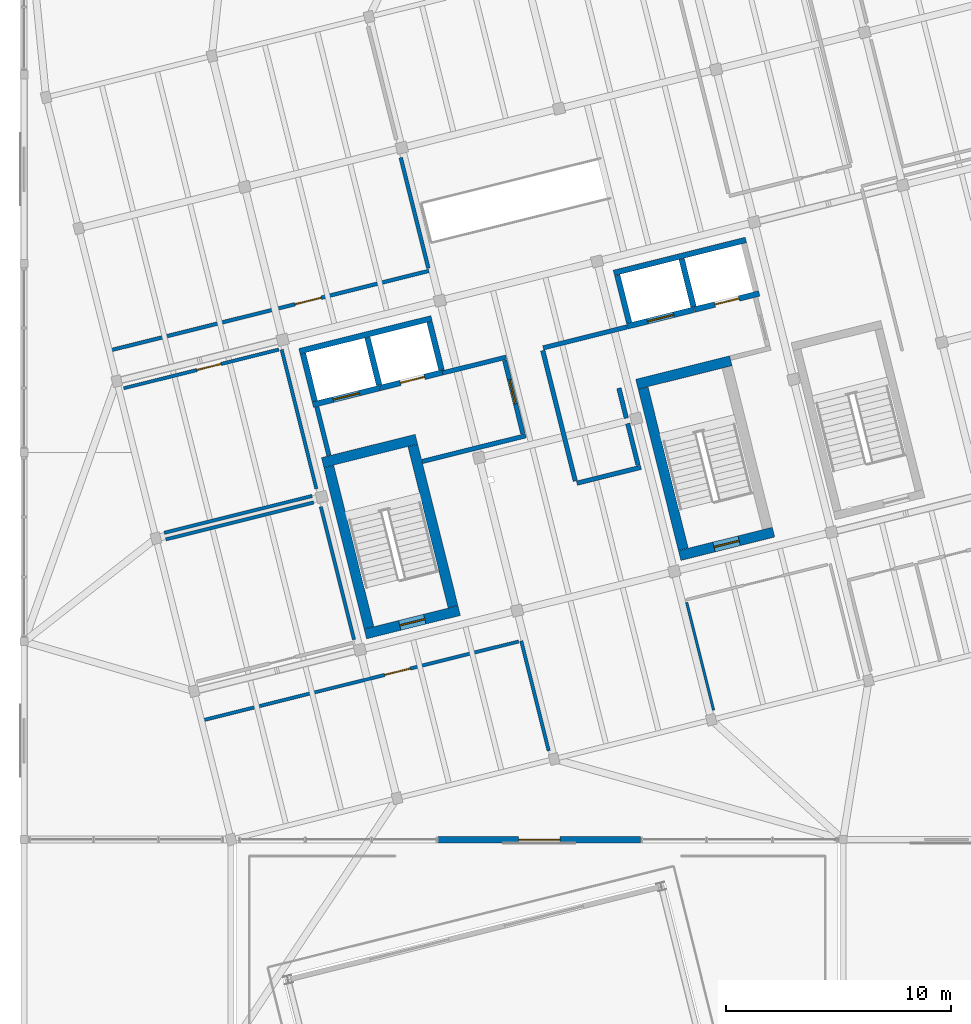
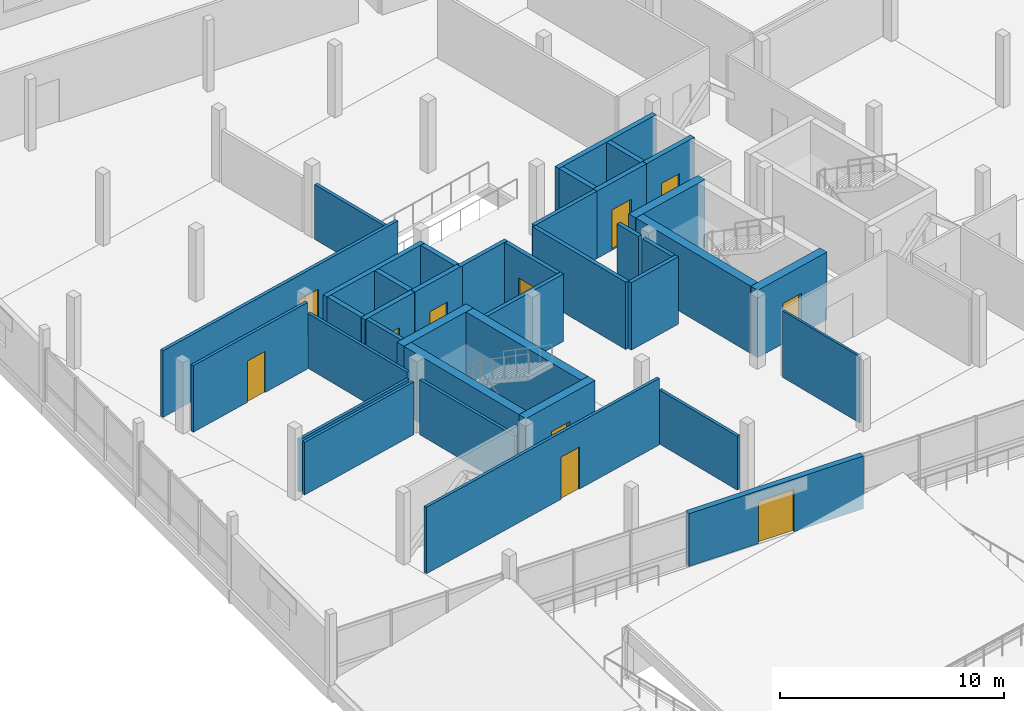
# One storey, part 34 of 39: 38 walls, 11 doors, 11 openings.
"""IFC4 building model written with IfcOpenShell, lengths in metres."""

from ifc_helpers import new_model, si_unit, direction, frame, frame_2d, origin, place, context, subcontext, project, spatial, rectangle, extrude, material, layer, layer_set, type_object, element, fill, save


model = new_model("IFC4")

# Units and contexts
model_context = context("Model", 3, precision=1e-05, world=origin(), true_north=direction((0.0, 1.0)))
body_context = subcontext(model_context, "Body", "Model", "MODEL_VIEW")
ifc_project = project(units=[si_unit("LENGTHUNIT", "METRE"), si_unit("AREAUNIT", "SQUARE_METRE"), si_unit("VOLUMEUNIT", "CUBIC_METRE"), si_unit("PLANEANGLEUNIT", "RADIAN"), si_unit("MASSUNIT", "GRAM", prefix="KILO")], contexts=[model_context])

# Site, building, storey
site_placement = place(None, origin())
site = spatial("IfcSite", under=ifc_project, at=site_placement, CompositionType="ELEMENT")
building_placement = place(site_placement, origin())
building = spatial("IfcBuilding", under=site, at=building_placement, Name="Meriwether Solvik Hall", CompositionType="ELEMENT")
storey_placement = place(building_placement, frame((0.0, 0.0, 22.199951171875)))
storey = spatial("IfcBuildingStorey", under=building, at=storey_placement, Name="L05", CompositionType="ELEMENT", Elevation=22.199951171875)

# Wall, opening, door
ifc_material_1 = material(Name="Double-Layer Acoustic Gypsum Board", Category="gypsum")
ifc_layer_1 = layer(ifc_material_1, 0.1650390625)
ifc_layer_set_1 = layer_set([ifc_layer_1], Name="Double-Layer Acoustic Gypsum Board")
wall_type_1 = type_object("IfcWallType", Name="WALL-DEM-165", PredefinedType="PARTITIONING", material=ifc_layer_set_1)
wall_1_placement = place(storey_placement, frame((63.2392578125, 62.94921875, 0.0), z_axis=(0.0, 0.0, 1.0), x_axis=(0.970296842771, 0.241917417538, 0.0)))
wall_1 = element("IfcWall", 1, at=wall_1_placement, inside=storey, type_object=wall_type_1, Name="L05 Interior Partition art_nw1_s", PredefinedType="PARTITIONING", context=body_context, shape_type="SweptSolid", body=[
    extrude(rectangle(XDim=14.58984375, YDim=0.1650390625, at=frame_2d((7.294921875, 0.0))), origin(), (0.0, 0.0, 1.0), 3.630126953125),
])
opening_1_placement = place(wall_1_placement, frame((8.45068359375, 0.0, 0.0)))
opening_1 = element("IfcOpeningElement", 2, at=opening_1_placement, cuts=wall_1, Name="Opening D-122", PredefinedType="OPENING", context=body_context, shape_type="SweptSolid", body=[
    extrude(rectangle(XDim=1.199951171875, YDim=2.300048828125, at=frame_2d((0.60009765625, 1.14990234375))), frame((0.0, 0.094482421875, 0.0), z_axis=(0.0, -1.0, 0.0), x_axis=(1.0, 0.0, 0.0)), (0.0, 0.0, 1.0), 0.18896484375),
])
ifc_material_2 = material(Name="Solid-Core Rift White Oak Timber", Category="wood")
door_type_1 = type_object("IfcDoorType", Name="DR-STD-1200L", OperationType="SINGLE_SWING_LEFT", PredefinedType="DOOR", material=ifc_material_2)
door_1_placement = place(opening_1_placement, origin())
door_1 = element("IfcDoor", 3, at=door_1_placement, inside=storey, type_object=door_type_1, Name="L05 Fine Arts Studio West Door", OperationType="SINGLE_SWING_LEFT", OverallHeight=2.300048828125, OverallWidth=1.199951171875, PredefinedType="DOOR", context=body_context, shape_type="SweptSolid", body=[
    extrude(rectangle(XDim=1.199951171875, YDim=2.300048828125, at=frame_2d((0.60009765625, 1.14990234375))), frame((0.0, 0.02490234375, 0.0), z_axis=(0.0, -1.0, 0.0), x_axis=(1.0, 0.0, 0.0)), (0.0, 0.0, 1.0), 0.050048828125),
])
fill(opening_1, door_1)

# Wall
wall_2_placement = place(storey_placement, frame((77.36669921875, 66.59521484375, 0.0), z_axis=(0.0, 0.0, 1.0), x_axis=(-0.241900885776, 0.970300964372, 0.0)))
element("IfcWall", 4, at=wall_2_placement, inside=storey, type_object=wall_type_1, Name="L05 Interior Partition art_nw1_e", PredefinedType="PARTITIONING", context=body_context, shape_type="SweptSolid", body=[
    extrude(rectangle(XDim=5.068603515625, YDim=0.1650390625, at=frame_2d((2.5341796875, 0.0))), origin(), (0.0, 0.0, 1.0), 2.9951171875),
])

# Wall, opening, door
ifc_material_3 = material(Name="Cross-Laminated Timber and Mineral-Wool Insulation", Category="wood")
ifc_layer_2 = layer(ifc_material_3, 0.2900390625)
ifc_layer_set_2 = layer_set([ifc_layer_2], Name="Cross-Laminated Timber and Mineral-Wool Insulation")
wall_type_2 = type_object("IfcWallType", Name="WALL-EXT-290", PredefinedType="SOLIDWALL", material=ifc_layer_set_2)
wall_3_placement = place(storey_placement, frame((86.800048828125, 41.199951171875, 0.0), z_axis=(0.0, 0.0, 1.0), x_axis=(-1.0, 0.0, 0.0)))
wall_3 = element("IfcWall", 5, at=wall_3_placement, inside=storey, type_object=wall_type_2, Name="L05 S Wing Facade Wall XE_9_2", PredefinedType="SOLIDWALL", context=body_context, shape_type="SweptSolid", body=[
    extrude(rectangle(XDim=9.0, YDim=0.2900390625, at=frame_2d((4.5, 0.0))), origin(), (0.0, 0.0, 1.0), 2.880126953125),
])
opening_2_placement = place(wall_3_placement, frame((3.574951171875, 0.0, 0.0)))
opening_2 = element("IfcOpeningElement", 6, at=opening_2_placement, cuts=wall_3, Name="Opening D-181", PredefinedType="OPENING", context=body_context, shape_type="SweptSolid", body=[
    extrude(rectangle(XDim=1.85009765625, YDim=2.300048828125, at=frame_2d((0.925048828125, 1.14990234375))), frame((0.0, 0.156982421875, 0.0), z_axis=(0.0, -1.0, 0.0), x_axis=(1.0, 0.0, 0.0)), (0.0, 0.0, 1.0), 0.31396484375),
])
ifc_material_4 = material(Name="Thermally Broken Anodised Aluminium and Laminated Glass", Category="aluminium")
door_type_2 = type_object("IfcDoorType", Name="DR-EXT-TERR-1850", OperationType="DOUBLE_DOOR_SINGLE_SWING", PredefinedType="DOOR", material=ifc_material_4)
door_2_placement = place(opening_2_placement, origin())
door_2 = element("IfcDoor", 7, at=door_2_placement, inside=storey, type_object=door_type_2, Name="L05 Landscaped Civic Forum Terrace Door", OperationType="DOUBLE_DOOR_SINGLE_SWING", OverallHeight=2.300048828125, OverallWidth=1.85009765625, PredefinedType="DOOR", context=body_context, shape_type="SweptSolid", body=[
    extrude(rectangle(XDim=1.85009765625, YDim=2.300048828125, at=frame_2d((0.925048828125, 1.14990234375))), frame((0.0, 0.02490234375, 0.0), z_axis=(0.0, -1.0, 0.0), x_axis=(1.0, 0.0, 0.0)), (0.0, 0.0, 1.0), 0.050048828125),
])
fill(opening_2, door_2)

# Walls
ifc_material_5 = material(Name="Fire-Rated Type X Gypsum Board", Category="gypsum")
ifc_layer_3 = layer(ifc_material_5, 0.199951171875)
ifc_layer_set_3 = layer_set([ifc_layer_3], Name="Fire-Rated Type X Gypsum Board")
wall_type_3 = type_object("IfcWallType", Name="WALL-FIRE-200", PredefinedType="STANDARD", material=ifc_layer_set_3)
wall_4_placement = place(storey_placement, frame((72.94970703125, 58.269287109375, 0.0), z_axis=(0.0, 0.0, 1.0), x_axis=(-0.24194311862, 0.970290434536, 0.0)))
element("IfcWall", 8, at=wall_4_placement, inside=storey, type_object=wall_type_3, Name="L05 Interior Partition lb1_w", PredefinedType="STANDARD", context=body_context, shape_type="SweptSolid", body=[
    extrude(rectangle(XDim=2.22998046875, YDim=0.199951171875, at=frame_2d((1.114990234375, 0.0))), origin(), (0.0, 0.0, 1.0), 3.679931640625),
])
wall_5_placement = place(storey_placement, frame((77.096923828125, 58.0048828125, 0.0), z_axis=(0.0, 0.0, 1.0), x_axis=(0.970305892741, 0.241881116483, 0.0)))
element("IfcWall", 9, at=wall_5_placement, inside=storey, type_object=wall_type_3, Name="L05 Interior Partition lb1_s", PredefinedType="STANDARD", context=body_context, shape_type="SweptSolid", body=[
    extrude(rectangle(XDim=4.73974609375, YDim=0.199951171875, at=frame_2d((2.369873046875, 0.0))), origin(), (0.0, 0.0, 1.0), 3.679931640625),
])
wall_6_placement = place(storey_placement, frame((77.991943359375, 61.938232421875, 0.0), z_axis=(0.0, 0.0, 1.0), x_axis=(0.970304586447, 0.241886356621, 0.0)))
element("IfcWall", 10, at=wall_6_placement, inside=storey, type_object=wall_type_3, Name="L05 Interior Partition lb1_n_cap", PredefinedType="STANDARD", context=body_context, shape_type="SweptSolid", body=[
    extrude(rectangle(XDim=2.919921875, YDim=0.199951171875, at=frame_2d((1.4599609375, 0.0))), origin(), (0.0, 0.0, 1.0), 3.679931640625),
])

# Wall, opening, door
wall_7_placement = place(storey_placement, frame((80.75732421875, 62.50390625, 0.0), z_axis=(0.0, 0.0, 1.0), x_axis=(0.241885902723, -0.970304699599, 0.0)))
wall_7 = element("IfcWall", 11, at=wall_7_placement, inside=storey, type_object=wall_type_3, Name="L05 Interior Partition lb1_e", PredefinedType="STANDARD", context=body_context, shape_type="SweptSolid", body=[
    extrude(rectangle(XDim=3.360107421875, YDim=0.199951171875, at=frame_2d((1.68017578125, 0.0))), origin(), (0.0, 0.0, 1.0), 3.679931640625),
])
opening_3_placement = place(wall_7_placement, frame((0.889892578125, 0.0, 0.0)))
opening_3 = element("IfcOpeningElement", 12, at=opening_3_placement, cuts=wall_7, Name="Opening D-168", PredefinedType="OPENING", context=body_context, shape_type="SweptSolid", body=[
    extrude(rectangle(XDim=1.10009765625, YDim=2.199951171875, at=frame_2d((0.550048828125, 1.10009765625))), frame((0.0, 0.11181640625, 0.0), z_axis=(0.0, -1.0, 0.0), x_axis=(1.0, 0.0, 0.0)), (0.0, 0.0, 1.0), 0.223876953125),
])
ifc_material_6 = material(Name="Steel A36 Galvanised", Category="steel")
door_type_3 = type_object("IfcDoorType", Name="DR-FD60-1100L", OperationType="SINGLE_SWING_LEFT", PredefinedType="DOOR", material=ifc_material_6)
door_3_placement = place(opening_3_placement, origin())
door_3 = element("IfcDoor", 13, at=door_3_placement, inside=storey, type_object=door_type_3, Name="West FSAE Lift Lobby Door (L05)", OperationType="SINGLE_SWING_LEFT", OverallHeight=2.199951171875, OverallWidth=1.10009765625, PredefinedType="DOOR", context=body_context, shape_type="SweptSolid", body=[
    extrude(rectangle(XDim=1.10009765625, YDim=2.199951171875, at=frame_2d((0.550048828125, 1.10009765625))), frame((0.0, 0.02490234375, 0.0), z_axis=(0.0, -1.0, 0.0), x_axis=(1.0, 0.0, 0.0)), (0.0, 0.0, 1.0), 0.050048828125),
])
fill(opening_3, door_3)

# Walls
wall_8_placement = place(storey_placement, frame((82.452880859375, 62.93701171875, 0.0), z_axis=(0.0, 0.0, 1.0), x_axis=(0.241891967324, -0.970303187743, 0.0)))
element("IfcWall", 14, at=wall_8_placement, inside=storey, type_object=wall_type_3, Name="L05 Interior Partition lb2_w", PredefinedType="STANDARD", context=body_context, shape_type="SweptSolid", body=[
    extrude(rectangle(XDim=5.97998046875, YDim=0.199951171875, at=frame_2d((2.989990234375, 0.0))), origin(), (0.0, 0.0, 1.0), 3.679931640625),
])
wall_9_placement = place(storey_placement, frame((83.972412109375, 57.03955078125, 0.0), z_axis=(0.0, 0.0, 1.0), x_axis=(0.970308790931, 0.241869490102, 0.0)))
element("IfcWall", 15, at=wall_9_placement, inside=storey, type_object=wall_type_3, Name="L05 Interior Partition lb2_s_w", PredefinedType="STANDARD", context=body_context, shape_type="SweptSolid", body=[
    extrude(rectangle(XDim=2.932373046875, YDim=0.199951171875, at=frame_2d((1.46630859375, 0.0))), origin(), (0.0, 0.0, 1.0), 3.679931640625),
])
wall_10_placement = place(storey_placement, frame((86.691650390625, 57.841064453125, 0.0), z_axis=(0.0, 0.0, 1.0), x_axis=(-0.241992731984, 0.970278062035, 0.0)))
element("IfcWall", 16, at=wall_10_placement, inside=storey, type_object=wall_type_3, Name="L05 Interior Partition lb2_e_low", PredefinedType="STANDARD", context=body_context, shape_type="SweptSolid", body=[
    extrude(rectangle(XDim=1.90478515625, YDim=0.199951171875, at=frame_2d((0.952392578125, 0.0))), origin(), (0.0, 0.0, 1.0), 3.679931640625),
])
wall_11_placement = place(storey_placement, frame((86.169921875, 59.932861328125, 0.0), z_axis=(0.0, 0.0, 1.0), x_axis=(-0.241824833036, 0.970319921535, 0.0)))
element("IfcWall", 17, at=wall_11_placement, inside=storey, type_object=wall_type_3, Name="L05 Interior Partition lb2_e_low_s2", PredefinedType="STANDARD", context=body_context, shape_type="SweptSolid", body=[
    extrude(rectangle(XDim=1.3740234375, YDim=0.199951171875, at=frame_2d((0.68701171875, 0.0))), origin(), (0.0, 0.0, 1.0), 3.679931640625),
])
wall_12_placement = place(storey_placement, frame((82.47265625, 63.05517578125, 0.0), z_axis=(0.0, 0.0, 1.0), x_axis=(0.970284368558, 0.241967444366, 0.0)))
element("IfcWall", 18, at=wall_12_placement, inside=storey, type_object=wall_type_3, Name="L05 Interior Partition lb2_n_cap_w", PredefinedType="STANDARD", context=body_context, shape_type="SweptSolid", body=[
    extrude(rectangle(XDim=3.84228515625, YDim=0.199951171875, at=frame_2d((1.921142578125, 0.0))), origin(), (0.0, 0.0, 1.0), 3.679931640625),
])
ifc_material_7 = material(Name="Tempered Laminated Glass in Anodised Aluminium Frame", Category="aluminium")
ifc_layer_4 = layer(ifc_material_7, 0.112060546875)
ifc_layer_set_4 = layer_set([ifc_layer_4], Name="Tempered Laminated Glass in Anodised Aluminium Frame")
wall_type_4 = type_object("IfcWallType", Name="WALL-GLZ-112", PredefinedType="PARTITIONING", material=ifc_layer_set_4)
wall_13_placement = place(storey_placement, frame((88.85107421875, 51.742431640625, 0.0), z_axis=(0.0, 0.0, 1.0), x_axis=(0.241942462335, -0.970290598181, 0.0)))
element("IfcWall", 19, at=wall_13_placement, inside=storey, type_object=wall_type_4, Name="L05 Interior Partition brk_s_w", PredefinedType="PARTITIONING", context=body_context, shape_type="SweptSolid", body=[
    extrude(rectangle(XDim=4.939453125, YDim=0.112060546875, at=frame_2d((2.4697265625, 0.0))), origin(), (0.0, 0.0, 1.0), 3.630126953125),
])
ifc_material_8 = material(Name="Concrete C40/50", Category="concrete")
ifc_layer_5 = layer(ifc_material_8, 0.25)
ifc_layer_set_5 = layer_set([ifc_layer_5], Name="Concrete C40/50")
wall_type_5 = type_object("IfcWallType", Name="WALL-HOIST-250", PredefinedType="SHEAR", material=ifc_layer_set_5)
wall_14_placement = place(storey_placement, frame((77.509765625, 64.36865234375, 0.0), z_axis=(0.0, 0.0, 1.0), x_axis=(-0.970296596103, -0.241918406889, 0.0)))
element("IfcWall", 20, at=wall_14_placement, inside=storey, type_object=wall_type_5, Name="Hoistway BANK1 North Wall (L05)", PredefinedType="SHEAR", context=body_context, shape_type="SweptSolid", body=[
    extrude(rectangle(XDim=6.050048828125, YDim=0.25, at=frame_2d((3.02490234375, 0.0))), origin(), (0.0, 0.0, 1.0), 3.679931640625),
])
for number, where, z_axis, x_axis, name in (
    (21, (71.793212890625, 62.80419921875, 0.0), (0.0, 0.0, 1.0), (0.242008581424, -0.970274108959, 0.0), "Hoistway BANK1 West Wall (L05)"),
    (22, (77.948486328125, 62.09228515625, 0.0), (0.0, 0.0, 1.0), (-0.241903146974, 0.970300400641, 0.0), "Hoistway BANK1 East Wall (L05)"),
    (23, (75.18310546875, 61.402587890625, 0.0), (0.0, 0.0, 1.0), (-0.241903146974, 0.970300400641, 0.0), "Hoistway BANK1 Divider Pier (L05)"),
):
    element("IfcWall", number, at=place(storey_placement, frame(where, z_axis=z_axis, x_axis=x_axis)), inside=storey, type_object=wall_type_5, Name=name, PredefinedType="SHEAR", context=body_context, shape_type="SweptSolid", body=[
        extrude(rectangle(XDim=2.179931640625, YDim=0.25, at=frame_2d((1.08984375, 0.0))), origin(), (0.0, 0.0, 1.0), 3.679931640625),
    ])

# Wall, opening, door
wall_15_placement = place(storey_placement, frame((72.232177734375, 60.52783203125, 0.0), z_axis=(0.0, 0.0, 1.0), x_axis=(0.970296930481, 0.241917065747, 0.0)))
wall_15 = element("IfcWall", 24, at=wall_15_placement, inside=storey, type_object=wall_type_5, Name="Lift LF-01 Landing Wall (L05)", PredefinedType="SHEAR", context=body_context, shape_type="SweptSolid", body=[
    extrude(rectangle(XDim=3.06494140625, YDim=0.25, at=frame_2d((1.532470703125, 0.0))), origin(), (0.0, 0.0, 1.0), 3.679931640625),
])
opening_4_placement = place(wall_15_placement, frame((0.9326171875, 0.0, 0.0)))
opening_4 = element("IfcOpeningElement", 25, at=opening_4_placement, cuts=wall_15, Name="Opening LD-01", PredefinedType="OPENING", context=body_context, shape_type="SweptSolid", body=[
    extrude(rectangle(XDim=1.199951171875, YDim=2.199951171875, at=frame_2d((0.60009765625, 1.10009765625))), frame((0.0, 0.136962890625, 0.0), z_axis=(0.0, -1.0, 0.0), x_axis=(1.0, 0.0, 0.0)), (0.0, 0.0, 1.0), 0.27392578125),
])
ifc_material_9 = material(Name="Stainless Steel AISI 316", Category="steel")
door_type_4 = type_object("IfcDoorType", Name="DR-LIFT-FSAE", OperationType="DOUBLE_DOOR_SLIDING", PredefinedType="DOOR", material=ifc_material_9)
door_4_placement = place(opening_4_placement, origin())
door_4 = element("IfcDoor", 26, at=door_4_placement, inside=storey, type_object=door_type_4, Name="Lift Landing Door LF-01 (L05)", OperationType="DOUBLE_DOOR_SLIDING", OverallHeight=2.199951171875, OverallWidth=1.199951171875, PredefinedType="DOOR", context=body_context, shape_type="SweptSolid", body=[
    extrude(rectangle(XDim=1.199951171875, YDim=2.199951171875, at=frame_2d((0.60009765625, 1.10009765625))), frame((0.0, 0.02490234375, 0.0), z_axis=(0.0, -1.0, 0.0), x_axis=(1.0, 0.0, 0.0)), (0.0, 0.0, 1.0), 0.050048828125),
])
fill(opening_4, door_4)

wall_16_placement = place(storey_placement, frame((75.225341796875, 61.274169921875, 0.0), z_axis=(0.0, 0.0, 1.0), x_axis=(0.970297295425, 0.241915601999, 0.0)))
wall_16 = element("IfcWall", 27, at=wall_16_placement, inside=storey, type_object=wall_type_5, Name="Lift LP-01 Landing Wall (L05)", PredefinedType="SHEAR", context=body_context, shape_type="SweptSolid", body=[
    extrude(rectangle(XDim=2.965087890625, YDim=0.25, at=frame_2d((1.482421875, 0.0))), origin(), (0.0, 0.0, 1.0), 3.679931640625),
])
opening_5_placement = place(wall_16_placement, frame((0.9326171875, 0.0, 0.0)))
opening_5 = element("IfcOpeningElement", 28, at=opening_5_placement, cuts=wall_16, Name="Opening LD-03", PredefinedType="OPENING", context=body_context, shape_type="SweptSolid", body=[
    extrude(rectangle(XDim=1.10009765625, YDim=2.14990234375, at=frame_2d((0.550048828125, 1.074951171875))), frame((0.0, 0.136962890625, 0.0), z_axis=(0.0, -1.0, 0.0), x_axis=(1.0, 0.0, 0.0)), (0.0, 0.0, 1.0), 0.27392578125),
])
ifc_material_10 = material(Name="Stainless Steel AISI 316", Category="steel")
door_type_5 = type_object("IfcDoorType", Name="DR-LIFT-PASS", OperationType="DOUBLE_DOOR_SLIDING", PredefinedType="DOOR", material=ifc_material_10)
door_5_placement = place(opening_5_placement, origin())
door_5 = element("IfcDoor", 29, at=door_5_placement, inside=storey, type_object=door_type_5, Name="Lift Landing Door LP-01 (L05)", OperationType="DOUBLE_DOOR_SLIDING", OverallHeight=2.14990234375, OverallWidth=1.10009765625, PredefinedType="DOOR", context=body_context, shape_type="SweptSolid", body=[
    extrude(rectangle(XDim=1.10009765625, YDim=2.14990234375, at=frame_2d((0.550048828125, 1.074951171875))), frame((0.0, 0.02490234375, 0.0), z_axis=(0.0, -1.0, 0.0), x_axis=(1.0, 0.0, 0.0)), (0.0, 0.0, 1.0), 0.050048828125),
])
fill(opening_5, door_5)

# Walls
wall_17_placement = place(storey_placement, frame((91.48193359375, 67.852294921875, 0.0), z_axis=(0.0, 0.0, 1.0), x_axis=(-0.970296596103, -0.241918406889, 0.0)))
element("IfcWall", 30, at=wall_17_placement, inside=storey, type_object=wall_type_5, Name="Hoistway BANK2 North Wall (L05)", PredefinedType="SHEAR", context=body_context, shape_type="SweptSolid", body=[
    extrude(rectangle(XDim=6.050048828125, YDim=0.25, at=frame_2d((3.02490234375, 0.0))), origin(), (0.0, 0.0, 1.0), 3.679931640625),
])
for number, where, z_axis, x_axis, name in (
    (31, (85.765625, 66.287841796875, 0.0), (0.0, 0.0, 1.0), (0.241903146974, -0.970300400641, 0.0), "Hoistway BANK2 West Wall (L05)"),
    (32, (89.1552734375, 64.886474609375, 0.0), (0.0, 0.0, 1.0), (-0.241903146974, 0.970300400641, 0.0), "Hoistway BANK2 Divider Pier (L05)"),
):
    element("IfcWall", number, at=place(storey_placement, frame(where, z_axis=z_axis, x_axis=x_axis)), inside=storey, type_object=wall_type_5, Name=name, PredefinedType="SHEAR", context=body_context, shape_type="SweptSolid", body=[
        extrude(rectangle(XDim=2.179931640625, YDim=0.25, at=frame_2d((1.08984375, 0.0))), origin(), (0.0, 0.0, 1.0), 3.679931640625),
    ])

# Wall, opening, door
wall_18_placement = place(storey_placement, frame((86.204345703125, 64.011474609375, 0.0), z_axis=(0.0, 0.0, 1.0), x_axis=(0.970296930481, 0.241917065747, 0.0)))
wall_18 = element("IfcWall", 33, at=wall_18_placement, inside=storey, type_object=wall_type_5, Name="Lift LF-02 Landing Wall (L05)", PredefinedType="SHEAR", context=body_context, shape_type="SweptSolid", body=[
    extrude(rectangle(XDim=3.06494140625, YDim=0.25, at=frame_2d((1.532470703125, 0.0))), origin(), (0.0, 0.0, 1.0), 3.679931640625),
])
opening_6_placement = place(wall_18_placement, frame((0.9326171875, 0.0, 0.0)))
opening_6 = element("IfcOpeningElement", 34, at=opening_6_placement, cuts=wall_18, Name="Opening LD-02", PredefinedType="OPENING", context=body_context, shape_type="SweptSolid", body=[
    extrude(rectangle(XDim=1.199951171875, YDim=2.199951171875, at=frame_2d((0.60009765625, 1.10009765625))), frame((0.0, 0.136962890625, 0.0), z_axis=(0.0, -1.0, 0.0), x_axis=(1.0, 0.0, 0.0)), (0.0, 0.0, 1.0), 0.27392578125),
])
door_6_placement = place(opening_6_placement, origin())
door_6 = element("IfcDoor", 35, at=door_6_placement, inside=storey, type_object=door_type_4, Name="Lift Landing Door LF-02 (L05)", OperationType="DOUBLE_DOOR_SLIDING", OverallHeight=2.199951171875, OverallWidth=1.199951171875, PredefinedType="DOOR", context=body_context, shape_type="SweptSolid", body=[
    extrude(rectangle(XDim=1.199951171875, YDim=2.199951171875, at=frame_2d((0.60009765625, 1.10009765625))), frame((0.0, 0.02490234375, 0.0), z_axis=(0.0, -1.0, 0.0), x_axis=(1.0, 0.0, 0.0)), (0.0, 0.0, 1.0), 0.050048828125),
])
fill(opening_6, door_6)

wall_19_placement = place(storey_placement, frame((89.19775390625, 64.7578125, 0.0), z_axis=(0.0, 0.0, 1.0), x_axis=(0.970297295425, 0.241915601999, 0.0)))
wall_19 = element("IfcWall", 36, at=wall_19_placement, inside=storey, type_object=wall_type_5, Name="Lift LP-02 Landing Wall (L05)", PredefinedType="SHEAR", context=body_context, shape_type="SweptSolid", body=[
    extrude(rectangle(XDim=2.965087890625, YDim=0.25, at=frame_2d((1.482421875, 0.0))), origin(), (0.0, 0.0, 1.0), 3.679931640625),
])
opening_7_placement = place(wall_19_placement, frame((0.9326171875, 0.0, 0.0)))
opening_7 = element("IfcOpeningElement", 37, at=opening_7_placement, cuts=wall_19, Name="Opening LD-04", PredefinedType="OPENING", context=body_context, shape_type="SweptSolid", body=[
    extrude(rectangle(XDim=1.10009765625, YDim=2.14990234375, at=frame_2d((0.550048828125, 1.074951171875))), frame((0.0, 0.136962890625, 0.0), z_axis=(0.0, -1.0, 0.0), x_axis=(1.0, 0.0, 0.0)), (0.0, 0.0, 1.0), 0.27392578125),
])
door_7_placement = place(opening_7_placement, origin())
door_7 = element("IfcDoor", 38, at=door_7_placement, inside=storey, type_object=door_type_5, Name="Lift Landing Door LP-02 (L05)", OperationType="DOUBLE_DOOR_SLIDING", OverallHeight=2.14990234375, OverallWidth=1.10009765625, PredefinedType="DOOR", context=body_context, shape_type="SweptSolid", body=[
    extrude(rectangle(XDim=1.10009765625, YDim=2.14990234375, at=frame_2d((0.550048828125, 1.074951171875))), frame((0.0, 0.02490234375, 0.0), z_axis=(0.0, -1.0, 0.0), x_axis=(1.0, 0.0, 0.0)), (0.0, 0.0, 1.0), 0.050048828125),
])
fill(opening_7, door_7)

# Wall
ifc_material_11 = material(Name="Gypsum Board Partition", Category="gypsum")
ifc_layer_6 = layer(ifc_material_11, 0.14990234375)
ifc_layer_set_6 = layer_set([ifc_layer_6], Name="Gypsum Board Partition")
wall_type_6 = type_object("IfcWallType", Name="WALL-PART-150", PredefinedType="PARTITIONING", material=ifc_layer_set_6)
wall_20_placement = place(storey_placement, frame((82.71484375, 45.145263671875, 0.0), z_axis=(0.0, 0.0, 1.0), x_axis=(-0.241931085278, 0.970293434986, 0.0)))
element("IfcWall", 39, at=wall_20_placement, inside=storey, type_object=wall_type_6, Name="L05 Interior Partition sem_sw_e", PredefinedType="PARTITIONING", context=body_context, shape_type="SweptSolid", body=[
    extrude(rectangle(XDim=5.03662109375, YDim=0.14990234375, at=frame_2d((2.518310546875, 0.0))), origin(), (0.0, 0.0, 1.0), 2.945068359375),
])

# Wall, opening, door
wall_21_placement = place(storey_placement, frame((81.3798828125, 50.003173828125, 0.0), z_axis=(0.0, 0.0, 1.0), x_axis=(-0.970297131414, -0.241916259828, 0.0)))
wall_21 = element("IfcWall", 40, at=wall_21_placement, inside=storey, type_object=wall_type_6, Name="L05 Interior Partition sem_sw_n", PredefinedType="PARTITIONING", context=body_context, shape_type="SweptSolid", body=[
    extrude(rectangle(XDim=14.4697265625, YDim=0.14990234375, at=frame_2d((7.23486328125, 0.0))), origin(), (0.0, 0.0, 1.0), 3.630126953125),
])
opening_8_placement = place(wall_21_placement, frame((4.976318359375, 0.0, 0.0)))
opening_8 = element("IfcOpeningElement", 41, at=opening_8_placement, cuts=wall_21, Name="Opening D-149", PredefinedType="OPENING", context=body_context, shape_type="SweptSolid", body=[
    extrude(rectangle(XDim=1.14990234375, YDim=2.300048828125, at=frame_2d((0.574951171875, 1.14990234375))), frame((0.0, 0.0869140625, 0.0), z_axis=(0.0, -1.0, 0.0), x_axis=(1.0, 0.0, 0.0)), (0.0, 0.0, 1.0), 0.173828125),
])
ifc_material_12 = material(Name="Laminated Vision Glass and Solid White Oak Timber", Category="wood")
door_type_6 = type_object("IfcDoorType", Name="DR-SEM-1150L", OperationType="SINGLE_SWING_LEFT", PredefinedType="DOOR", material=ifc_material_12)
door_8_placement = place(opening_8_placement, origin())
door_8 = element("IfcDoor", 42, at=door_8_placement, inside=storey, type_object=door_type_6, Name="L05 Seminar Room 5A Door", OperationType="SINGLE_SWING_LEFT", OverallHeight=2.300048828125, OverallWidth=1.14990234375, PredefinedType="DOOR", context=body_context, shape_type="SweptSolid", body=[
    extrude(rectangle(XDim=1.14990234375, YDim=2.300048828125, at=frame_2d((0.574951171875, 1.14990234375))), frame((0.0, 0.02490234375, 0.0), z_axis=(0.0, -1.0, 0.0), x_axis=(1.0, 0.0, 0.0)), (0.0, 0.0, 1.0), 0.050048828125),
])
fill(opening_8, door_8)

# Walls
wall_22_placement = place(storey_placement, frame((74.062744140625, 50.08544921875, 0.0), z_axis=(0.0, 0.0, 1.0), x_axis=(-0.241950623602, 0.970288563129, 0.0)))
element("IfcWall", 43, at=wall_22_placement, inside=storey, type_object=wall_type_6, Name="L05 Interior Partition sem_w2_e", PredefinedType="PARTITIONING", context=body_context, shape_type="SweptSolid", body=[
    extrude(rectangle(XDim=6.088623046875, YDim=0.14990234375, at=frame_2d((3.04443359375, 0.0))), origin(), (0.0, 0.0, 1.0), 2.9951171875),
])
for number, where, z_axis, x_axis, name in (
    (44, (72.270751953125, 56.18310546875, 0.0), (0.0, 0.0, 1.0), (-0.97029069988, -0.241942054482, 0.0), "L05 Interior Partition sem_w2_n"),
    (45, (65.62646484375, 54.835693359375, 0.0), (0.0, 0.0, 1.0), (0.970299158832, 0.241908127952, 0.0), "L05 Interior Partition sem_w3_s"),
):
    element("IfcWall", number, at=place(storey_placement, frame(where, z_axis=z_axis, x_axis=x_axis)), inside=storey, type_object=wall_type_6, Name=name, PredefinedType="PARTITIONING", context=body_context, shape_type="SweptSolid", body=[
        extrude(rectangle(XDim=6.77490234375, YDim=0.14990234375, at=frame_2d((3.387451171875, 0.0))), origin(), (0.0, 0.0, 1.0), 2.8701171875),
    ])
wall_23_placement = place(storey_placement, frame((72.39013671875, 56.793701171875, 0.0), z_axis=(0.0, 0.0, 1.0), x_axis=(-0.241922822951, 0.970295495061, 0.0)))
element("IfcWall", 46, at=wall_23_placement, inside=storey, type_object=wall_type_6, Name="L05 Interior Partition sem_w3_e", PredefinedType="PARTITIONING", context=body_context, shape_type="SweptSolid", body=[
    extrude(rectangle(XDim=6.375, YDim=0.14990234375, at=frame_2d((3.1875, 0.0))), origin(), (0.0, 0.0, 1.0), 2.9951171875),
])

# Wall, opening, door
wall_24_placement = place(storey_placement, frame((70.723876953125, 62.980712890625, 0.0), z_axis=(0.0, 0.0, 1.0), x_axis=(-0.970293813542, -0.241929567029, 0.0)))
wall_24 = element("IfcWall", 47, at=wall_24_placement, inside=storey, type_object=wall_type_6, Name="L05 Interior Partition sem_w3_n", PredefinedType="PARTITIONING", context=body_context, shape_type="SweptSolid", body=[
    extrude(rectangle(XDim=7.109375, YDim=0.14990234375, at=frame_2d((3.5546875, 0.0))), origin(), (0.0, 0.0, 1.0), 3.630126953125),
])
opening_9_placement = place(wall_24_placement, frame((2.64990234375, 0.0, 0.0)))
opening_9 = element("IfcOpeningElement", 48, at=opening_9_placement, cuts=wall_24, Name="Opening D-134", PredefinedType="OPENING", context=body_context, shape_type="SweptSolid", body=[
    extrude(rectangle(XDim=1.10009765625, YDim=2.25, at=frame_2d((0.550048828125, 1.125))), frame((0.0, 0.0869140625, 0.0), z_axis=(0.0, -1.0, 0.0), x_axis=(1.0, 0.0, 0.0)), (0.0, 0.0, 1.0), 0.173828125),
])
ifc_material_13 = material(Name="Laminated Vision Glass and Solid White Oak Timber", Category="wood")
door_type_7 = type_object("IfcDoorType", Name="DR-CLS-1100L", OperationType="SINGLE_SWING_LEFT", PredefinedType="DOOR", material=ifc_material_13)
door_9_placement = place(opening_9_placement, origin())
door_9 = element("IfcDoor", 49, at=door_9_placement, inside=storey, type_object=door_type_7, Name="L05 Civic Workshop Classroom Door", OperationType="SINGLE_SWING_LEFT", OverallHeight=2.25, OverallWidth=1.10009765625, PredefinedType="DOOR", context=body_context, shape_type="SweptSolid", body=[
    extrude(rectangle(XDim=1.10009765625, YDim=2.25, at=frame_2d((0.550048828125, 1.125))), frame((0.0, 0.02490234375, 0.0), z_axis=(0.0, -1.0, 0.0), x_axis=(1.0, 0.0, 0.0)), (0.0, 0.0, 1.0), 0.050048828125),
])
fill(opening_9, door_9)

ifc_material_14 = material(Name="Concrete C45/55", Category="concrete")
ifc_layer_7 = layer(ifc_material_14, 0.449951171875)
ifc_layer_set_7 = layer_set([ifc_layer_7], Name="Concrete C45/55")
wall_type_7 = type_object("IfcWallType", Name="WALL-RC-450", PredefinedType="SHEAR", material=ifc_layer_set_7)
wall_25_placement = place(storey_placement, frame((74.566162109375, 50.33984375, 0.0), z_axis=(0.0, 0.0, 1.0), x_axis=(0.970292610647, 0.241934391361, 0.0)))
wall_25 = element("IfcWall", 50, at=wall_25_placement, inside=storey, type_object=wall_type_7, Name="CORE-1 Shear Wall S (L05)", PredefinedType="SHEAR", context=body_context, shape_type="SweptSolid", body=[
    extrude(rectangle(XDim=4.2998046875, YDim=0.449951171875, at=frame_2d((2.14990234375, 0.0))), origin(), (0.0, 0.0, 1.0), 3.679931640625),
])
opening_10_placement = place(wall_25_placement, frame((1.574951171875, 0.0, 0.0)))
opening_10 = element("IfcOpeningElement", 51, at=opening_10_placement, cuts=wall_25, Name="Opening D-189", PredefinedType="OPENING", context=body_context, shape_type="SweptSolid", body=[
    extrude(rectangle(XDim=1.14990234375, YDim=2.199951171875, at=frame_2d((0.574951171875, 1.10009765625))), frame((0.0, 0.23681640625, 0.0), z_axis=(0.0, -1.0, 0.0), x_axis=(1.0, 0.0, 0.0)), (0.0, 0.0, 1.0), 0.473876953125),
])
ifc_material_15 = material(Name="Steel A36 Galvanised", Category="steel")
door_type_8 = type_object("IfcDoorType", Name="DR-FD90-1150L", OperationType="SINGLE_SWING_LEFT", PredefinedType="DOOR", material=ifc_material_15)
door_10_placement = place(opening_10_placement, origin())
door_10 = element("IfcDoor", 52, at=door_10_placement, inside=storey, type_object=door_type_8, Name="Stair ST-01 Smokeproof Exit Door (L05)", OperationType="SINGLE_SWING_LEFT", OverallHeight=2.199951171875, OverallWidth=1.14990234375, PredefinedType="DOOR", context=body_context, shape_type="SweptSolid", body=[
    extrude(rectangle(XDim=1.14990234375, YDim=2.199951171875, at=frame_2d((0.574951171875, 1.10009765625))), frame((0.0, 0.02490234375, 0.0), z_axis=(0.0, -1.0, 0.0), x_axis=(1.0, 0.0, 0.0)), (0.0, 0.0, 1.0), 0.050048828125),
])
fill(opening_10, door_10)

# Walls
wall_26_placement = place(storey_placement, frame((76.83935546875, 58.996826171875, 0.0), z_axis=(0.0, 0.0, 1.0), x_axis=(-0.970295933763, -0.241921063415, 0.0)))
element("IfcWall", 53, at=wall_26_placement, inside=storey, type_object=wall_type_7, Name="CORE-1 Shear Wall N (L05)", PredefinedType="SHEAR", context=body_context, shape_type="SweptSolid", body=[
    extrude(rectangle(XDim=4.300048828125, YDim=0.449951171875, at=frame_2d((2.14990234375, 0.0))), origin(), (0.0, 0.0, 1.0), 3.679931640625),
])
for number, where, z_axis, x_axis, name in (
    (54, (72.942138671875, 57.782958984375, 0.0), (0.0, 0.0, 1.0), (0.241928426141, -0.970294098006, 0.0), "CORE-1 Shear Wall W (L05)"),
    (55, (78.463134765625, 51.5537109375, 0.0), (0.0, 0.0, 1.0), (-0.241928426141, 0.970294098006, 0.0), "CORE-1 Shear Wall E (L05)"),
):
    element("IfcWall", number, at=place(storey_placement, frame(where, z_axis=z_axis, x_axis=x_axis)), inside=storey, type_object=wall_type_7, Name=name, PredefinedType="SHEAR", context=body_context, shape_type="SweptSolid", body=[
        extrude(rectangle(XDim=7.3798828125, YDim=0.449951171875, at=frame_2d((3.68994140625, 0.0))), origin(), (0.0, 0.0, 1.0), 3.679931640625),
    ])

# Wall, opening, door
wall_27_placement = place(storey_placement, frame((88.538330078125, 53.823486328125, 0.0), z_axis=(0.0, 0.0, 1.0), x_axis=(0.970295933763, 0.241921063415, 0.0)))
wall_27 = element("IfcWall", 56, at=wall_27_placement, inside=storey, type_object=wall_type_7, Name="CORE-2 Shear Wall S (L05)", PredefinedType="SHEAR", context=body_context, shape_type="SweptSolid", body=[
    extrude(rectangle(XDim=4.300048828125, YDim=0.449951171875, at=frame_2d((2.14990234375, 0.0))), origin(), (0.0, 0.0, 1.0), 3.679931640625),
])
opening_11_placement = place(wall_27_placement, frame((1.574951171875, 0.0, 0.0)))
opening_11 = element("IfcOpeningElement", 57, at=opening_11_placement, cuts=wall_27, Name="Opening D-148", PredefinedType="OPENING", context=body_context, shape_type="SweptSolid", body=[
    extrude(rectangle(XDim=1.14990234375, YDim=2.199951171875, at=frame_2d((0.574951171875, 1.10009765625))), frame((0.0, 0.23681640625, 0.0), z_axis=(0.0, -1.0, 0.0), x_axis=(1.0, 0.0, 0.0)), (0.0, 0.0, 1.0), 0.473876953125),
])
ifc_material_16 = material(Name="Steel A36 Galvanised", Category="steel")
door_type_9 = type_object("IfcDoorType", Name="DR-FD90-1150R", OperationType="SINGLE_SWING_RIGHT", PredefinedType="DOOR", material=ifc_material_16)
door_11_placement = place(opening_11_placement, origin())
door_11 = element("IfcDoor", 58, at=door_11_placement, inside=storey, type_object=door_type_9, Name="Stair ST-02 Smokeproof Exit Door (L05)", OperationType="SINGLE_SWING_RIGHT", OverallHeight=2.199951171875, OverallWidth=1.14990234375, PredefinedType="DOOR", context=body_context, shape_type="SweptSolid", body=[
    extrude(rectangle(XDim=1.14990234375, YDim=2.199951171875, at=frame_2d((0.574951171875, 1.10009765625))), frame((0.0, 0.02490234375, 0.0), z_axis=(0.0, -1.0, 0.0), x_axis=(1.0, 0.0, 0.0)), (0.0, 0.0, 1.0), 0.050048828125),
])
fill(opening_11, door_11)

# Walls
wall_28_placement = place(storey_placement, frame((90.8115234375, 62.48046875, 0.0), z_axis=(0.0, 0.0, 1.0), x_axis=(-0.970309259708, -0.2418676095, 0.0)))
element("IfcWall", 59, at=wall_28_placement, inside=storey, type_object=wall_type_7, Name="CORE-2 Shear Wall N (L05)", PredefinedType="SHEAR", context=body_context, shape_type="SweptSolid", body=[
    extrude(rectangle(XDim=4.300048828125, YDim=0.449951171875, at=frame_2d((2.14990234375, 0.0))), origin(), (0.0, 0.0, 1.0), 3.679931640625),
])
wall_29_placement = place(storey_placement, frame((86.91455078125, 61.266845703125, 0.0), z_axis=(0.0, 0.0, 1.0), x_axis=(0.241889515465, -0.970303798976, 0.0)))
element("IfcWall", 60, at=wall_29_placement, inside=storey, type_object=wall_type_7, Name="CORE-2 Shear Wall W (L05)", PredefinedType="SHEAR", context=body_context, shape_type="SweptSolid", body=[
    extrude(rectangle(XDim=7.380126953125, YDim=0.449951171875, at=frame_2d((3.68994140625, 0.0))), origin(), (0.0, 0.0, 1.0), 3.679931640625),
])

save(model, "model.ifc")
